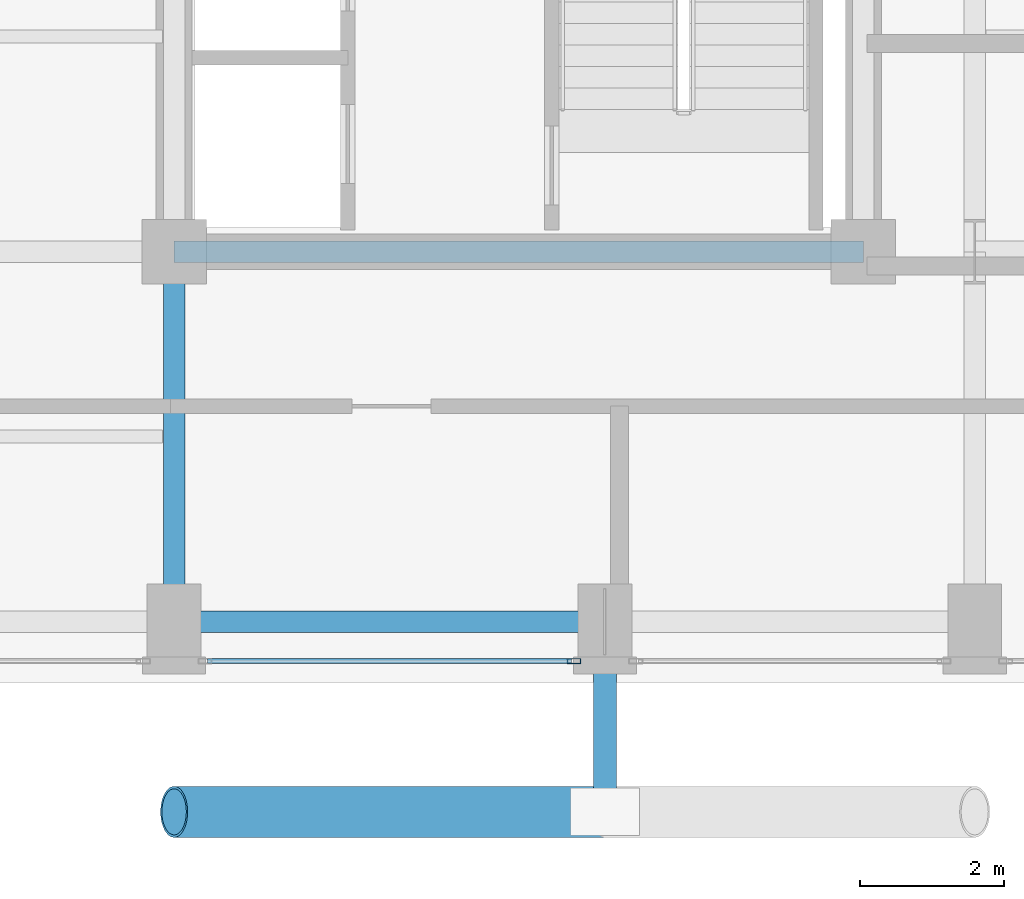
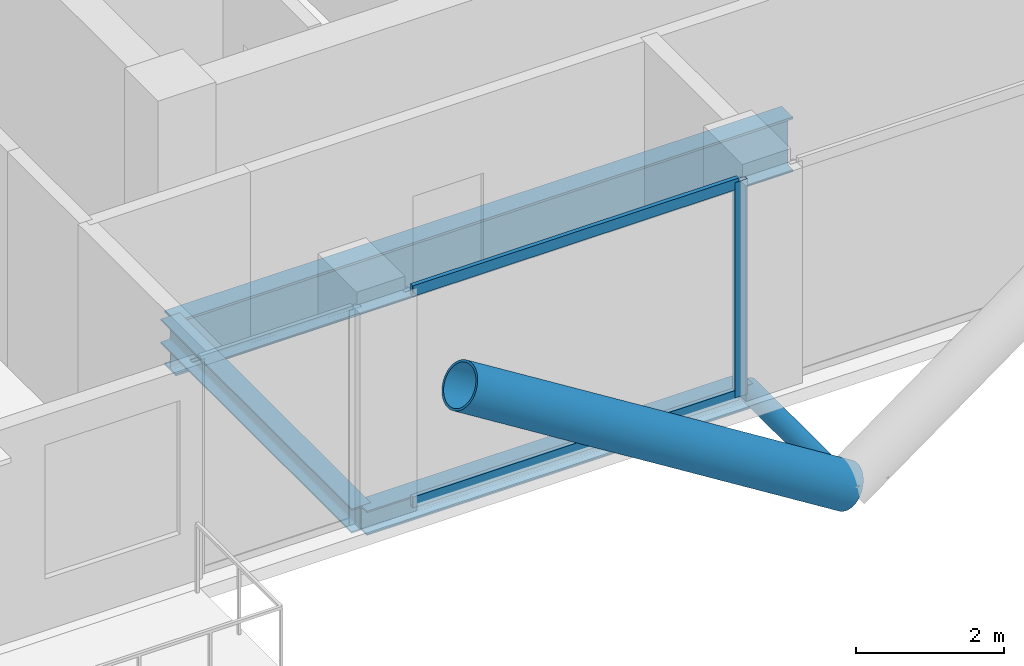
# One storey, part 5 of 21: 5 members, 3 beams, 1 element without a shape of its own.
"""IFC4 building model written with IfcOpenShell, lengths in metres."""

from ifc_helpers import new_model, si_unit, direction, frame, origin, origin_2d, place, context, subcontext, project, spatial, hollow_rectangle, hollow_circle, i_section, extrude, material, layer, layer_set, material_profile, profile_set, type_object, element, aggregate, save


model = new_model("IFC4")

# Units and contexts
model_context = context("Model", 3, precision=1e-05, world=origin(), true_north=direction((0.0, 1.0)))
body_context = subcontext(model_context, "Body", "Model", "MODEL_VIEW")
ifc_project = project(units=[si_unit("LENGTHUNIT", "METRE"), si_unit("AREAUNIT", "SQUARE_METRE"), si_unit("VOLUMEUNIT", "CUBIC_METRE"), si_unit("PLANEANGLEUNIT", "RADIAN"), si_unit("MASSUNIT", "GRAM", prefix="KILO"), si_unit("THERMODYNAMICTEMPERATUREUNIT", "KELVIN"), si_unit("POWERUNIT", "WATT")], contexts=[model_context])

# Site, building, storey
site_placement = place(None, origin())
site = spatial("IfcSite", under=ifc_project, at=site_placement, CompositionType="ELEMENT")
building_placement = place(site_placement, origin())
building = spatial("IfcBuilding", under=site, at=building_placement, Name="Svarakhadi Broadcast Tower", CompositionType="ELEMENT")
storey_placement = place(building_placement, frame((0.0, 0.0, 187.949951171875)))
storey = spatial("IfcBuildingStorey", under=building, at=storey_placement, Name="L46", CompositionType="ELEMENT", Elevation=187.949951171875)

# Curtain wall, members
ifc_material_1 = material(Name="Anodised Bronze Aluminium AA 6063-T6", Category="aluminium")
ifc_layer = layer(ifc_material_1, 0.18994140625)
ifc_layer_set = layer_set([ifc_layer], Name="Anodised Bronze Aluminium AA 6063-T6")
curtain_wall_type = type_object("IfcCurtainWallType", Name="CW_Sys_04", PredefinedType="NOTDEFINED", material=ifc_layer_set)
curtain_wall_placement = place(storey_placement, origin())
curtain_wall = element("IfcCurtainWall", 1, at=curtain_wall_placement, inside=storey, type_object=curtain_wall_type, Name="L46 South Curtain Wall 15 Bay 3", PredefinedType="NOTDEFINED")
ifc_material_profile_1 = material_profile(ifc_material_1, hollow_rectangle(XDim=0.070068359375, YDim=0.18994140625, WallThickness=0.005615234375, at=origin_2d()), Name="ALU MULLION 190x70x6")
ifc_profile_set_1 = profile_set([ifc_material_profile_1], Name="Anodised Bronze Aluminium AA 6063-T6")
member_type_1 = type_object("IfcMemberType", Name="CW_Sys_04_Mul", PredefinedType="MULLION", material=ifc_profile_set_1)
member_1_placement = place(storey_placement, frame((29.570068359375, 0.300048828125, 0.0), z_axis=(0.0, 0.0, 1.0), x_axis=(0.0, -1.0, 0.0)))
member_1 = element("IfcMember", 2, at=member_1_placement, type_object=member_type_1, Name="CW-04 mullion 1", PredefinedType="MULLION", context=body_context, shape_type="SweptSolid", body=[
    extrude(hollow_rectangle(XDim=0.070068359375, YDim=0.18994140625, WallThickness=0.005615234375, at=origin_2d()), origin(), (0.0, 0.0, 1.0), 3.5400390625),
])
ifc_material_profile_2 = material_profile(ifc_material_1, hollow_rectangle(XDim=0.06494140625, YDim=0.175048828125, WallThickness=0.0048828125, at=origin_2d()), Name="ALU TRANSOM 175x65x5")
ifc_profile_set_2 = profile_set([ifc_material_profile_2], Name="Anodised Bronze Aluminium AA 6063-T6")
member_type_2 = type_object("IfcMemberType", Name="CW_Sys_04_Trn", PredefinedType="USERDEFINED", material=ifc_profile_set_2)
member_2_placement = place(storey_placement, frame((29.534912109375, 0.300048828125, 0.032470703125), z_axis=(-1.0, 0.0, 0.0), x_axis=(0.0, -1.0, 0.0)))
member_2 = element("IfcMember", 3, at=member_2_placement, type_object=member_type_2, Name="CW-04 transom 1.1", ObjectType="TRANSOM", PredefinedType="USERDEFINED", context=body_context, shape_type="SweptSolid", body=[
    extrude(hollow_rectangle(XDim=0.06494140625, YDim=0.175048828125, WallThickness=0.0048828125, at=origin_2d()), origin(), (0.0, 0.0, 1.0), 5.06982421875),
])
member_3_placement = place(storey_placement, frame((29.534912109375, 0.300048828125, 3.507568359375), z_axis=(-1.0, 0.0, 0.0), x_axis=(0.0, -1.0, 0.0)))
member_3 = element("IfcMember", 4, at=member_3_placement, type_object=member_type_2, Name="CW-04 transom 1.2", ObjectType="TRANSOM", PredefinedType="USERDEFINED", context=body_context, shape_type="SweptSolid", body=[
    extrude(hollow_rectangle(XDim=0.06494140625, YDim=0.175048828125, WallThickness=0.0048828125, at=origin_2d()), origin(), (0.0, 0.0, 1.0), 5.06982421875),
])
aggregate(curtain_wall, [member_1, member_2, member_3])

# Members
ifc_material_2 = material(Name="Steel S460ML (IS 2062 E450BR)", Category="steel")
ifc_material_profile_3 = material_profile(ifc_material_2, hollow_circle(Radius=0.35546875, WallThickness=0.034912109375, at=origin_2d()), Name="CHS 711x35")
ifc_profile_set_3 = profile_set([ifc_material_profile_3], Name="Steel S460ML (IS 2062 E450BR)")
member_type_3 = type_object("IfcMemberType", Name="Exo_Brace_CHS711", PredefinedType="BRACE", material=ifc_profile_set_3)
member_4_placement = place(storey_placement, frame((30.0, -1.800048828125, -0.371826171875), z_axis=(-0.847998304005, 0.0, 0.529998940003), x_axis=(0.0, -1.0, 0.0)))
element("IfcMember", 5, at=member_4_placement, inside=storey, type_object=member_type_3, Name="L46 Exposed Bronze Exoskeleton Diagonal S01", PredefinedType="BRACE", context=body_context, shape_type="SweptSolid", body=[
    extrude(hollow_circle(Radius=0.35546875, WallThickness=0.034912109375, at=origin_2d()), origin(), (0.0, 0.0, 1.0), 7.075439453125),
])
ifc_material_profile_4 = material_profile(ifc_material_2, hollow_circle(Radius=0.161865234375, WallThickness=0.01611328125, at=origin_2d()), Name="CHS 323.9x16")
ifc_profile_set_4 = profile_set([ifc_material_profile_4], Name="Steel S460ML (IS 2062 E450BR)")
member_type_4 = type_object("IfcMemberType", Name="Exo_Radial_Strut_Z2", PredefinedType="STRUT", material=ifc_profile_set_4)
member_5_placement = place(storey_placement, frame((30.0, -1.800048828125, -0.371826171875), z_axis=(0.0, 1.0, 0.0), x_axis=(-1.0, 0.0, 0.0)))
element("IfcMember", 6, at=member_5_placement, inside=storey, type_object=member_type_4, Name="L46 Exoskeleton Radial Tie Strut S03", PredefinedType="STRUT", context=body_context, shape_type="SweptSolid", body=[
    extrude(hollow_circle(Radius=0.161865234375, WallThickness=0.01611328125, at=origin_2d()), origin(), (0.0, 0.0, 1.0), 2.650146484375),
])

# Beams
ifc_material_3 = material(Name="Steel S355J2 (IS 2062 E350C)", Category="steel")
ifc_material_profile_5 = material_profile(ifc_material_3, i_section(OverallWidth=0.300048828125, OverallDepth=0.39990234375, WebThickness=0.013427734375, FlangeThickness=0.02392578125, FilletRadius=0.027099609375, at=origin_2d()), Name="WPB 400x300x155")
ifc_profile_set_5 = profile_set([ifc_material_profile_5], Name="Steel S355J2 (IS 2062 E350C)")
beam_type_1 = type_object("IfcBeamType", Name="Girder_WPB400", PredefinedType="USERDEFINED", material=ifc_profile_set_5)
beam_1_placement = place(storey_placement, frame((24.0, 0.85009765625, -0.409912109375), z_axis=(1.0, 0.0, 0.0), x_axis=(0.0, 1.0, 0.0)))
element("IfcBeam", 7, at=beam_1_placement, inside=storey, type_object=beam_type_1, Name="L46 Primary E-W Girder G007", ObjectType="GIRDER", PredefinedType="USERDEFINED", context=body_context, shape_type="SweptSolid", body=[
    extrude(i_section(OverallWidth=0.300048828125, OverallDepth=0.39990234375, WebThickness=0.013427734375, FlangeThickness=0.02392578125, FilletRadius=0.027099609375, at=origin_2d()), origin(), (0.0, 0.0, 1.0), 6.0),
])
beam_2_placement = place(storey_placement, frame((24.0, 0.85009765625, -0.409912109375), z_axis=(0.0, 1.0, 0.0), x_axis=(-1.0, 0.0, 0.0)))
element("IfcBeam", 8, at=beam_2_placement, inside=storey, type_object=beam_type_1, Name="L46 Primary N-S Girder G051", ObjectType="GIRDER", PredefinedType="USERDEFINED", context=body_context, shape_type="SweptSolid", body=[
    extrude(i_section(OverallWidth=0.300048828125, OverallDepth=0.39990234375, WebThickness=0.013427734375, FlangeThickness=0.02392578125, FilletRadius=0.027099609375, at=origin_2d()), origin(), (0.0, 0.0, 1.0), 5.14990234375),
])
ifc_material_profile_6 = material_profile(ifc_material_2, i_section(OverallWidth=0.300048828125, OverallDepth=0.89990234375, WebThickness=0.0185546875, FlangeThickness=0.034912109375, FilletRadius=0.030029296875, at=origin_2d()), Name="WPB 900x300x291")
ifc_profile_set_6 = profile_set([ifc_material_profile_6], Name="Steel S460ML (IS 2062 E450BR)")
beam_type_2 = type_object("IfcBeamType", Name="Girder_WPB900", PredefinedType="USERDEFINED", material=ifc_profile_set_6)
beam_3_placement = place(storey_placement, frame((24.0, 6.0, -0.659912109375), z_axis=(1.0, 0.0, 0.0), x_axis=(0.0, 1.0, 0.0)))
element("IfcBeam", 9, at=beam_3_placement, inside=storey, type_object=beam_type_2, Name="L46 Primary E-W Girder G013", ObjectType="GIRDER", PredefinedType="USERDEFINED", context=body_context, shape_type="SweptSolid", body=[
    extrude(i_section(OverallWidth=0.300048828125, OverallDepth=0.89990234375, WebThickness=0.0185546875, FlangeThickness=0.034912109375, FilletRadius=0.030029296875, at=origin_2d()), origin(), (0.0, 0.0, 1.0), 9.60009765625),
])

save(model, "model.ifc")
